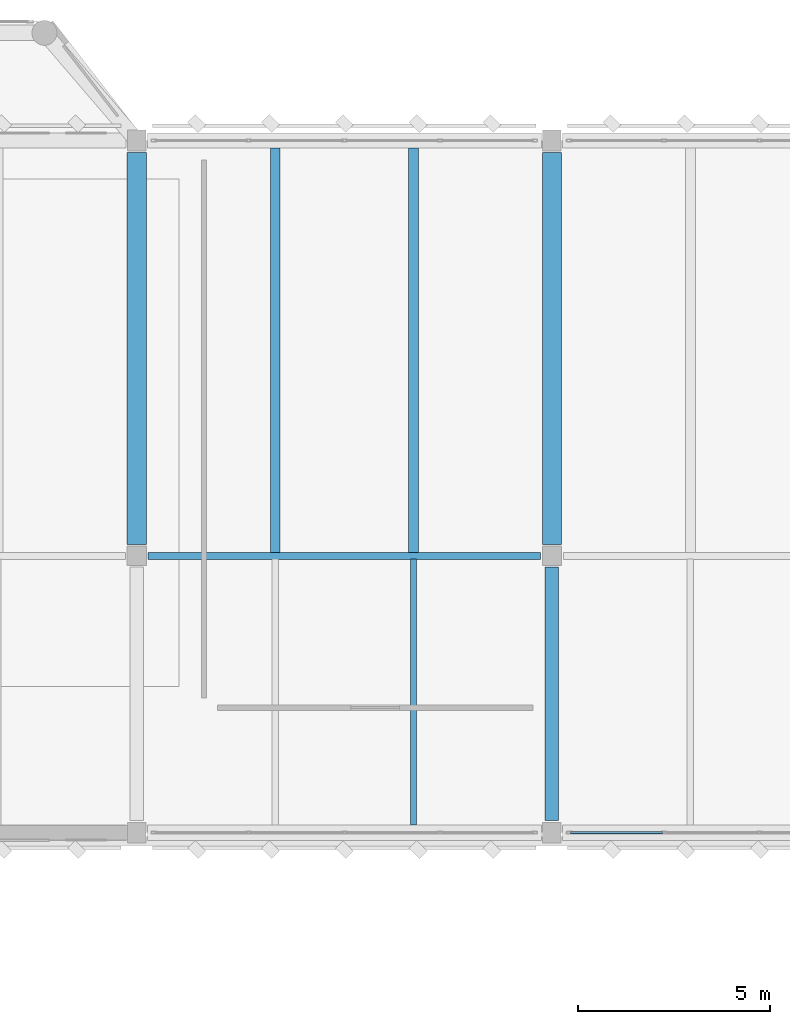
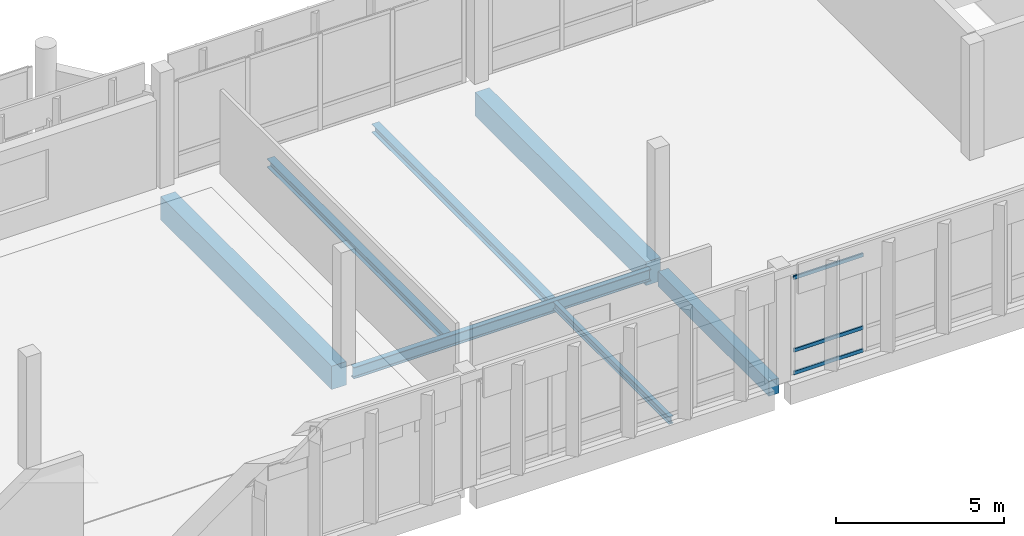
# One storey, part 25 of 72: 7 beams, 3 members, 1 element without a shape of its own.
"""IFC4 building model written with IfcOpenShell, lengths in metres."""

from ifc_helpers import new_model, si_unit, direction, frame, origin, origin_2d, place, context, subcontext, project, spatial, rectangle, hollow_rectangle, i_section, extrude, material, material_profile, profile_set, type_object, element, aggregate, save


model = new_model("IFC4")

# Units and contexts
model_context = context("Model", 3, precision=1e-05, world=origin(), true_north=direction((0.0, 1.0)))
body_context = subcontext(model_context, "Body", "Model", "MODEL_VIEW")
ifc_project = project(units=[si_unit("LENGTHUNIT", "METRE"), si_unit("AREAUNIT", "SQUARE_METRE"), si_unit("VOLUMEUNIT", "CUBIC_METRE"), si_unit("PLANEANGLEUNIT", "RADIAN"), si_unit("MASSUNIT", "GRAM", prefix="KILO")], contexts=[model_context])

# Site, building, storey
site_placement = place(None, origin())
site = spatial("IfcSite", under=ifc_project, at=site_placement, CompositionType="ELEMENT")
building_placement = place(site_placement, origin())
building = spatial("IfcBuilding", under=site, at=building_placement, Name="Lusvemor Sports Hall", CompositionType="ELEMENT")
storey_placement = place(building_placement, frame((0.0, 0.0, 15.0)))
storey = spatial("IfcBuildingStorey", under=building, at=storey_placement, Name="L03", CompositionType="ELEMENT", Elevation=15.0)

# Beams
ifc_material_1 = material(Name="Concrete C40/50", Category="concrete")
ifc_material_profile_1 = material_profile(ifc_material_1, rectangle(XDim=0.35009765625, YDim=0.550048828125, at=origin_2d()), Name="RC350x550")
ifc_profile_set_1 = profile_set([ifc_material_profile_1], Name="Concrete C40/50")
beam_type_1 = type_object("IfcBeamType", Name="BEAM_RC_550", PredefinedType="BEAM", material=ifc_profile_set_1)
beam_1_placement = place(storey_placement, frame((43.199951171875, 97.51611328125, -0.514892578125), z_axis=(0.0, 1.0, 0.0), x_axis=(-1.0, 0.0, 0.0)))
element("IfcBeam", 1, at=beam_1_placement, inside=storey, type_object=beam_type_1, Name="Beam L03 5:N-P", PredefinedType="BEAM", context=body_context, shape_type="SweptSolid", body=[
    extrude(rectangle(XDim=0.35009765625, YDim=0.550048828125, at=origin_2d()), origin(), (0.0, 0.0, 1.0), 6.587890625),
])
ifc_material_2 = material(Name="Steel S355", Category="steel")
ifc_material_profile_2 = material_profile(ifc_material_2, i_section(OverallWidth=0.180908203125, OverallDepth=0.4169921875, WebThickness=0.010986328125, FlangeThickness=0.018310546875, FilletRadius=0.01611328125, at=origin_2d()), Name="W410x85.0")
ifc_profile_set_2 = profile_set([ifc_material_profile_2], Name="Steel S355")
beam_type_2 = type_object("IfcBeamType", Name="BEAM_ST_410H", PredefinedType="BEAM", material=ifc_profile_set_2)
beam_2_placement = place(storey_placement, frame((32.696044921875, 104.39990234375, -0.452392578125), z_axis=(1.0, 0.0, 0.0), x_axis=(0.0, 1.0, 0.0)))
element("IfcBeam", 2, at=beam_2_placement, inside=storey, type_object=beam_type_2, Name="Beam L03 P:4-5", PredefinedType="BEAM", context=body_context, shape_type="SweptSolid", body=[
    extrude(i_section(OverallWidth=0.180908203125, OverallDepth=0.4169921875, WebThickness=0.010986328125, FlangeThickness=0.018310546875, FilletRadius=0.01611328125, at=origin_2d()), origin(), (0.0, 0.0, 1.0), 10.2080078125),
])

# Curtain wall, members
ifc_material_3 = material(Name="Thermally broken bronze-anodized aluminium", Category="aluminium")
curtain_wall_type = type_object("IfcCurtainWallType", Name="CW_WING_B", PredefinedType="NOTDEFINED", material=ifc_material_3)
curtain_wall_placement = place(storey_placement, origin())
curtain_wall = element("IfcCurtainWall", 3, at=curtain_wall_placement, inside=storey, type_object=curtain_wall_type, Name="Curtain Wall CW-L03-S-3-2", PredefinedType="NOTDEFINED")
ifc_material_4 = material(Name="Thermally broken bronze-anodized aluminium", Category="aluminium")
ifc_material_profile_3 = material_profile(ifc_material_4, hollow_rectangle(XDim=0.06005859375, YDim=0.135009765625, WallThickness=0.00390625, InnerFilletRadius=0.00390625, OuterFilletRadius=0.008056640625, at=origin_2d()), Name="CWTRN135x60x4")
ifc_profile_set_3 = profile_set([ifc_material_profile_3], Name="Thermally broken bronze-anodized aluminium")
member_type = type_object("IfcMemberType", Name="CW_TRN_B", PredefinedType="USERDEFINED", material=ifc_profile_set_3)
member_1_placement = place(storey_placement, frame((46.077392578125, 97.199951171875, 0.030029296875), z_axis=(-1.0, 0.0, 0.0), x_axis=(0.0, -1.0, 0.0)))
member_1 = element("IfcMember", 4, at=member_1_placement, type_object=member_type, Name="CW02 transom 4.1", ObjectType="TRANSOM", PredefinedType="USERDEFINED", context=body_context, shape_type="SweptSolid", body=[
    extrude(hollow_rectangle(XDim=0.06005859375, YDim=0.135009765625, WallThickness=0.00390625, InnerFilletRadius=0.00390625, OuterFilletRadius=0.008056640625, at=origin_2d()), origin(), (0.0, 0.0, 1.0), 2.392333984375),
])
member_2_placement = place(storey_placement, frame((46.077392578125, 97.199951171875, 0.85009765625), z_axis=(-1.0, 0.0, 0.0), x_axis=(0.0, -1.0, 0.0)))
member_2 = element("IfcMember", 5, at=member_2_placement, type_object=member_type, Name="CW02 transom 4.2", ObjectType="TRANSOM", PredefinedType="USERDEFINED", context=body_context, shape_type="SweptSolid", body=[
    extrude(hollow_rectangle(XDim=0.06005859375, YDim=0.135009765625, WallThickness=0.00390625, InnerFilletRadius=0.00390625, OuterFilletRadius=0.008056640625, at=origin_2d()), origin(), (0.0, 0.0, 1.0), 2.392333984375),
])
member_3_placement = place(storey_placement, frame((46.077392578125, 97.199951171875, 3.489990234375), z_axis=(-1.0, 0.0, 0.0), x_axis=(0.0, -1.0, 0.0)))
member_3 = element("IfcMember", 6, at=member_3_placement, type_object=member_type, Name="CW02 transom 4.3", ObjectType="TRANSOM", PredefinedType="USERDEFINED", context=body_context, shape_type="SweptSolid", body=[
    extrude(hollow_rectangle(XDim=0.06005859375, YDim=0.135009765625, WallThickness=0.00390625, InnerFilletRadius=0.00390625, OuterFilletRadius=0.008056640625, at=origin_2d()), origin(), (0.0, 0.0, 1.0), 2.392333984375),
])
aggregate(curtain_wall, [member_1, member_2, member_3])

# Beams
ifc_material_5 = material(Name="Concrete C40/50", Category="concrete")
ifc_material_profile_4 = material_profile(ifc_material_5, rectangle(XDim=0.5, YDim=0.85009765625, at=origin_2d()), Name="RC500x850")
ifc_profile_set_4 = profile_set([ifc_material_profile_4], Name="Concrete C40/50")
beam_type_3 = type_object("IfcBeamType", Name="GIRD_RC_850", PredefinedType="T_BEAM", material=ifc_profile_set_4)
for number, where, z_axis, x_axis, name in (
    (7, (32.39990234375, 104.696044921875, -0.6650390625), (0.0, 1.0, 0.0), (-1.0, 0.0, 0.0), "Beam L03 4:P-Q"),
    (8, (43.199951171875, 104.696044921875, -0.6650390625), (0.0, 1.0, 0.0), (-1.0, 0.0, 0.0), "Beam L03 5:P-Q"),
):
    element("IfcBeam", number, at=place(storey_placement, frame(where, z_axis=z_axis, x_axis=x_axis)), inside=storey, type_object=beam_type_3, Name=name, PredefinedType="T_BEAM", context=body_context, shape_type="SweptSolid", body=[
        extrude(rectangle(XDim=0.5, YDim=0.85009765625, at=origin_2d()), origin(), (0.0, 0.0, 1.0), 10.18798828125),
    ])
ifc_material_6 = material(Name="Steel S355", Category="steel")
ifc_material_profile_5 = material_profile(ifc_material_6, i_section(OverallWidth=0.14794921875, OverallDepth=0.26611328125, WebThickness=0.007568359375, FlangeThickness=0.012939453125, FilletRadius=0.012939453125, at=origin_2d()), Name="W250x44.8")
ifc_profile_set_5 = profile_set([ifc_material_profile_5], Name="Steel S355")
beam_type_4 = type_object("IfcBeamType", Name="JOIST_ST_250M", PredefinedType="JOIST", material=ifc_profile_set_5)
beam_3_placement = place(storey_placement, frame((39.60009765625, 97.39599609375, -0.376953125), z_axis=(0.0, 1.0, 0.0), x_axis=(-1.0, 0.0, 0.0)))
element("IfcBeam", 9, at=beam_3_placement, inside=storey, type_object=beam_type_4, Name="Secondary Joist L03 4-5/N-P #2", PredefinedType="JOIST", context=body_context, shape_type="SweptSolid", body=[
    extrude(i_section(OverallWidth=0.14794921875, OverallDepth=0.26611328125, WebThickness=0.007568359375, FlangeThickness=0.012939453125, FilletRadius=0.012939453125, at=origin_2d()), origin(), (0.0, 0.0, 1.0), 6.91748046875),
])
ifc_material_7 = material(Name="Steel S355", Category="steel")
ifc_material_profile_6 = material_profile(ifc_material_7, i_section(OverallWidth=0.25390625, OverallDepth=0.305908203125, WebThickness=0.0087890625, FlangeThickness=0.0146484375, FilletRadius=0.014892578125, at=origin_2d()), Name="W310x79.0")
ifc_profile_set_6 = profile_set([ifc_material_profile_6], Name="Steel S355")
beam_type_5 = type_object("IfcBeamType", Name="JOIST_ST_310H", PredefinedType="JOIST", material=ifc_profile_set_6)
for number, where, z_axis, x_axis, name in (
    (10, (36.0, 104.486572265625, -0.39697265625), (0.0, 1.0, 0.0), (-1.0, 0.0, 0.0), "Secondary Joist L03 4-5/P-Q #1"),
    (11, (39.60009765625, 104.486572265625, -0.39697265625), (0.0, 1.0, 0.0), (-1.0, 0.0, 0.0), "Secondary Joist L03 4-5/P-Q #2"),
):
    element("IfcBeam", number, at=place(storey_placement, frame(where, z_axis=z_axis, x_axis=x_axis)), inside=storey, type_object=beam_type_5, Name=name, PredefinedType="JOIST", context=body_context, shape_type="SweptSolid", body=[
        extrude(i_section(OverallWidth=0.25390625, OverallDepth=0.305908203125, WebThickness=0.0087890625, FlangeThickness=0.0146484375, FilletRadius=0.014892578125, at=origin_2d()), origin(), (0.0, 0.0, 1.0), 10.517333984375),
    ])

save(model, "model.ifc")
